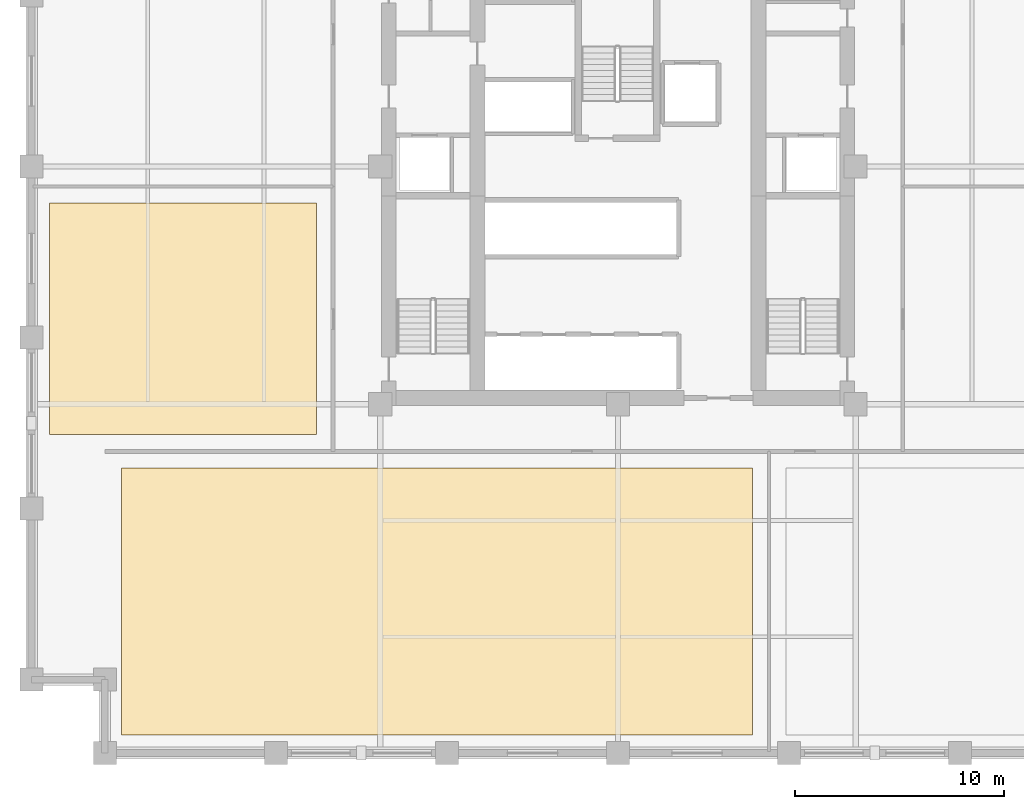
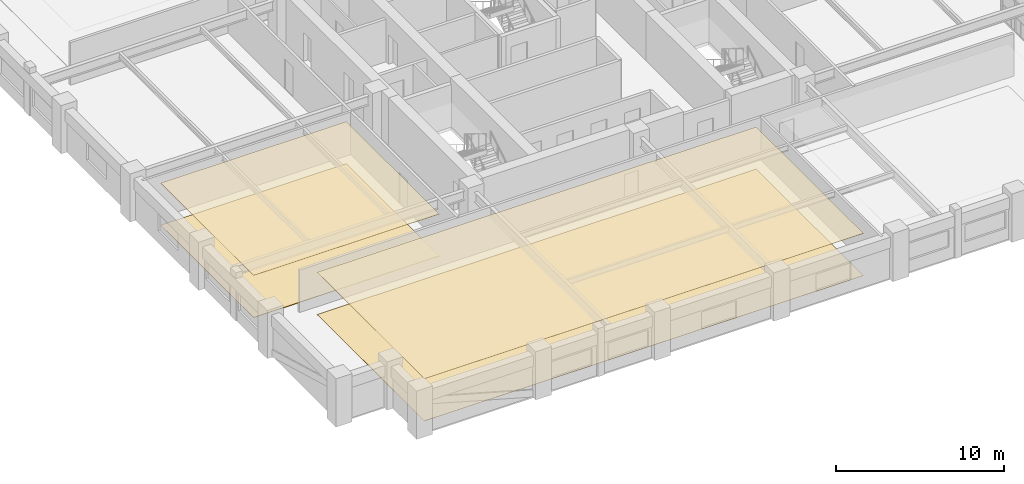
# One storey, part 8 of 12: 4 coverings.
"""IFC4 building model written with IfcOpenShell, lengths in metres."""

from ifc_helpers import new_model, si_unit, direction, frame, origin, place, context, subcontext, project, spatial, polyline, outline, extrude, material, layer, layer_set, type_object, element, save


model = new_model("IFC4")

# Units and contexts
model_context = context("Model", 3, precision=1e-05, world=origin(), true_north=direction((0.0, 1.0)))
body_context = subcontext(model_context, "Body", "Model", "MODEL_VIEW")
ifc_project = project(units=[si_unit("LENGTHUNIT", "METRE"), si_unit("AREAUNIT", "SQUARE_METRE"), si_unit("VOLUMEUNIT", "CUBIC_METRE"), si_unit("PLANEANGLEUNIT", "RADIAN"), si_unit("MASSUNIT", "GRAM", prefix="KILO")], contexts=[model_context])

# Site, building, storey
site_placement = place(None, origin())
site = spatial("IfcSite", under=ifc_project, at=site_placement, CompositionType="ELEMENT")
building_placement = place(site_placement, origin())
building = spatial("IfcBuilding", under=site, at=building_placement, Name="Nhamokura Convention Tower", CompositionType="ELEMENT")
storey_placement = place(building_placement, frame((0.0, 0.0, 96.25)))
storey = spatial("IfcBuildingStorey", under=building, at=storey_placement, Name="L23", CompositionType="ELEMENT", Elevation=96.25)

# Coverings
ifc_material_1 = material(Name="Mineral-fibre acoustic ceiling tile", Category="gypsum")
ifc_layer_1 = layer(ifc_material_1, 0.02490234375)
ifc_layer_set_1 = layer_set([ifc_layer_1], Name="AcousticTileCeiling_25")
covering_type_1 = type_object("IfcCoveringType", Name="AcousticTileCeiling_25", PredefinedType="CEILING", material=ifc_layer_set_1)
covering_1_placement = place(storey_placement, frame((0.0, 0.0, 3.054931640625)))
element("IfcCovering", 1, at=covering_1_placement, inside=storey, type_object=covering_type_1, Name="L23 Suspended Ceiling 01", PredefinedType="CEILING", context=body_context, shape_type="SweptSolid", body=[
    extrude(outline(polyline([(8.300048828125, 4.860107421875), (38.416748046875, 4.860107421875), (38.416748046875, 17.60009765625), (8.300048828125, 17.60009765625), (8.300048828125, 4.860107421875)])), origin(), (0.0, 0.0, 1.0), 0.025146484375),
])
covering_2_placement = place(storey_placement, frame((0.0, 0.0, 3.054931640625)))
element("IfcCovering", 2, at=covering_2_placement, inside=storey, type_object=covering_type_1, Name="L23 Suspended Ceiling 06", PredefinedType="CEILING", context=body_context, shape_type="SweptSolid", body=[
    extrude(outline(polyline([(4.860107421875, 19.199951171875), (17.60009765625, 19.199951171875), (17.60009765625, 30.25), (4.860107421875, 30.25), (4.860107421875, 19.199951171875)])), origin(), (0.0, 0.0, 1.0), 0.025146484375),
])
ifc_material_2 = material(Name="Polished Sabana granite terrazzo", Category="masonry")
ifc_layer_2 = layer(ifc_material_2, 0.030029296875)
ifc_layer_set_2 = layer_set([ifc_layer_2], Name="SabanaTerrazzoFlooring_30")
covering_type_2 = type_object("IfcCoveringType", Name="SabanaTerrazzoFlooring_30", PredefinedType="FLOORING", material=ifc_layer_set_2)
covering_3_placement = place(storey_placement, origin())
element("IfcCovering", 3, at=covering_3_placement, inside=storey, type_object=covering_type_2, Name="L23 Finish Flooring 06", PredefinedType="FLOORING", context=body_context, shape_type="SweptSolid", body=[
    extrude(outline(polyline([(4.860107421875, 19.199951171875), (17.60009765625, 19.199951171875), (17.60009765625, 30.25), (4.860107421875, 30.25), (4.860107421875, 19.199951171875)])), origin(), (0.0, 0.0, 1.0), 0.030029296875),
])
ifc_material_3 = material(Name="Acoustic woven hospitality carpet", Category="wood")
ifc_layer_3 = layer(ifc_material_3, 0.014892578125)
ifc_layer_set_3 = layer_set([ifc_layer_3], Name="WovenCarpetFlooring_15")
covering_type_3 = type_object("IfcCoveringType", Name="WovenCarpetFlooring_15", PredefinedType="FLOORING", material=ifc_layer_set_3)
covering_4_placement = place(storey_placement, origin())
element("IfcCovering", 4, at=covering_4_placement, inside=storey, type_object=covering_type_3, Name="L23 Finish Flooring 01", PredefinedType="FLOORING", context=body_context, shape_type="SweptSolid", body=[
    extrude(outline(polyline([(8.300048828125, 4.860107421875), (38.416748046875, 4.860107421875), (38.416748046875, 17.60009765625), (8.300048828125, 17.60009765625), (8.300048828125, 4.860107421875)])), origin(), (0.0, 0.0, 1.0), 0.014892578125),
])

save(model, "model.ifc")
